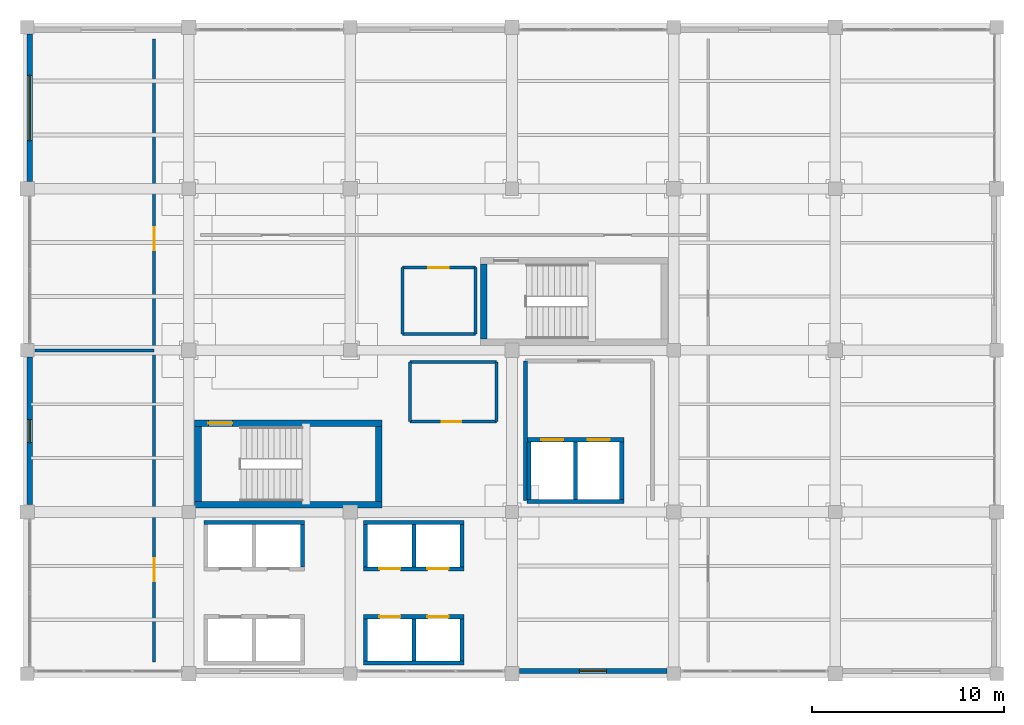
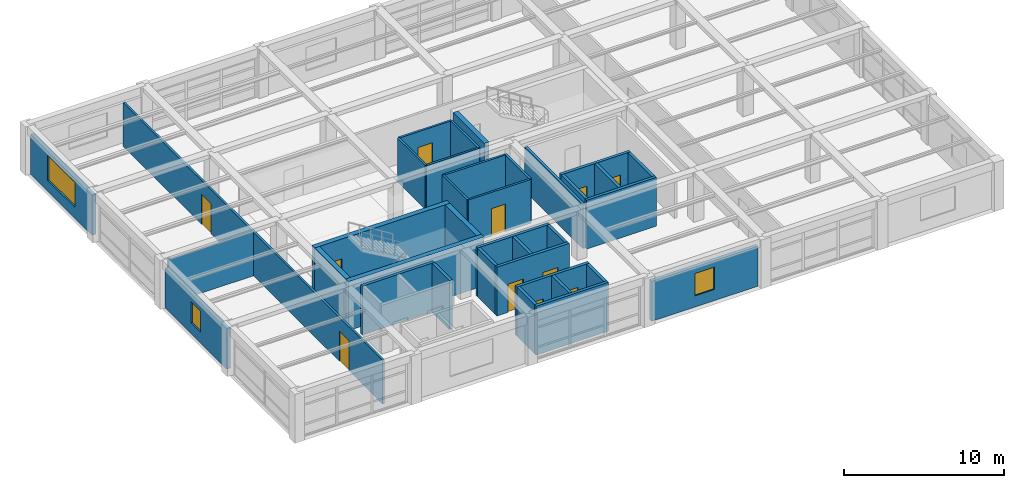
# One storey, part 24 of 26: 36 walls, 11 doors, 3 windows, 14 openings.
"""IFC4 building model written with IfcOpenShell, lengths in metres."""

from ifc_helpers import new_model, si_unit, direction, frame, frame_2d, origin, place, context, subcontext, project, spatial, rectangle, extrude, material, layer, layer_set, type_object, element, fill, save


model = new_model("IFC4")

# Units and contexts
model_context = context("Model", 3, precision=1e-05, world=origin(), true_north=direction((0.0, 1.0)))
body_context = subcontext(model_context, "Body", "Model", "MODEL_VIEW")
ifc_project = project(units=[si_unit("LENGTHUNIT", "METRE"), si_unit("AREAUNIT", "SQUARE_METRE"), si_unit("VOLUMEUNIT", "CUBIC_METRE"), si_unit("PLANEANGLEUNIT", "RADIAN"), si_unit("MASSUNIT", "GRAM", prefix="KILO")], contexts=[model_context])

# Site, building, storey
site_placement = place(None, origin())
site = spatial("IfcSite", under=ifc_project, at=site_placement, CompositionType="ELEMENT")
building_placement = place(site_placement, origin())
building = spatial("IfcBuilding", under=site, at=building_placement, Name="Almacenes y Pasaje Nevantli", CompositionType="ELEMENT")
storey_placement = place(building_placement, frame((0.0, 0.0, 38.699951171875)))
storey = spatial("IfcBuildingStorey", under=building, at=storey_placement, Name="L09", CompositionType="ELEMENT", Elevation=38.699951171875)

# Walls
ifc_material_1 = material(Name="Fire-Rated Concrete Blockwork", Category="masonry")
ifc_layer_1 = layer(ifc_material_1, 0.199951171875)
ifc_layer_set_1 = layer_set([ifc_layer_1], Name="Fire-Rated Concrete Blockwork")
wall_type_1 = type_object("IfcWallType", Name="WL-COMP-200", PredefinedType="PARTITIONING", material=ifc_layer_set_1)
wall_1_placement = place(storey_placement, frame((135.10009765625, 76.199951171875, 0.0), z_axis=(0.0, 0.0, 1.0), x_axis=(0.0, 1.0, 0.0)))
element("IfcWall", 1, at=wall_1_placement, inside=storey, type_object=wall_type_1, Name="L09 Interior Partition Wall IW-200 #160", PredefinedType="PARTITIONING", context=body_context, shape_type="SweptSolid", body=[
    extrude(rectangle(XDim=7.25, YDim=0.199951171875, at=frame_2d((3.625, 0.0))), origin(), (0.0, 0.0, 1.0), 3.340087890625),
])
ifc_material_2 = material(Name="Concrete C45/55", Category="concrete")
ifc_layer_2 = layer(ifc_material_2, 0.35009765625)
ifc_layer_set_2 = layer_set([ifc_layer_2], Name="Concrete C45/55")
wall_type_2 = type_object("IfcWallType", Name="WL-CORE-350", PredefinedType="SHEAR", material=ifc_layer_set_2)
wall_2_placement = place(storey_placement, frame((117.89990234375, 75.97509765625, 0.0), z_axis=(0.0, 0.0, 1.0), x_axis=(1.0, 0.0, 0.0)))
element("IfcWall", 2, at=wall_2_placement, inside=storey, type_object=wall_type_2, Name="L09 Exit Stair ST-01 South Core Shear Wall", PredefinedType="SHEAR", context=body_context, shape_type="SweptSolid", body=[
    extrude(rectangle(XDim=9.75, YDim=0.35009765625, at=frame_2d((4.875, 0.0))), origin(), (0.0, 0.0, 1.0), 3.719970703125),
])

# Wall, opening, door
wall_3_placement = place(storey_placement, frame((117.89990234375, 80.215087890625, 0.0), z_axis=(0.0, 0.0, 1.0), x_axis=(1.0, 0.0, 0.0)))
wall_3 = element("IfcWall", 3, at=wall_3_placement, inside=storey, type_object=wall_type_2, Name="L09 Exit Stair ST-01 North Core Shear Wall", PredefinedType="SHEAR", context=body_context, shape_type="SweptSolid", body=[
    extrude(rectangle(XDim=9.75, YDim=0.35009765625, at=frame_2d((4.875, 0.0))), origin(), (0.0, 0.0, 1.0), 3.719970703125),
])
opening_1_placement = place(wall_3_placement, frame((0.719970703125, 0.0, 0.0)))
opening_1 = element("IfcOpeningElement", 4, at=opening_1_placement, cuts=wall_3, Name="Opening SD-01-L09", PredefinedType="OPENING", context=body_context, shape_type="SweptSolid", body=[
    extrude(rectangle(XDim=1.25, YDim=2.199951171875, at=frame_2d((0.625, 1.10009765625))), frame((0.0, 0.18505859375, 0.0), z_axis=(0.0, -1.0, 0.0), x_axis=(1.0, 0.0, 0.0)), (0.0, 0.0, 1.0), 0.3701171875),
])
ifc_material_3 = material(Name="Galvanized Fire-Rated Steel", Category="steel")
door_type_1 = type_object("IfcDoorType", Name="DR-STAIR-1250", OperationType="SINGLE_SWING_LEFT", PredefinedType="DOOR", material=ifc_material_3)
door_1_placement = place(opening_1_placement, origin())
door_1 = element("IfcDoor", 5, at=door_1_placement, inside=storey, type_object=door_type_1, Name="L09 Smokeproof Exit Stair ST-01 Fire Door", OperationType="SINGLE_SWING_LEFT", OverallHeight=2.199951171875, OverallWidth=1.25, PredefinedType="DOOR", context=body_context, shape_type="SweptSolid", body=[
    extrude(rectangle(XDim=1.25, YDim=2.199951171875, at=frame_2d((0.625, 1.10009765625))), frame((0.0, 0.02490234375, 0.0), z_axis=(0.0, -1.0, 0.0), x_axis=(1.0, 0.0, 0.0)), (0.0, 0.0, 1.0), 0.050048828125),
])
fill(opening_1, door_1)

# Walls
for number, where, z_axis, x_axis, name in (
    (6, (118.074951171875, 76.14990234375, 0.0), (0.0, 0.0, 1.0), (0.0, 1.0, 0.0), "L09 Exit Stair ST-01 West Core Shear Wall"),
    (7, (127.47509765625, 76.14990234375, 0.0), (0.0, 0.0, 1.0), (0.0, 1.0, 0.0), "L09 Exit Stair ST-01 East Core Shear Wall"),
):
    element("IfcWall", number, at=place(storey_placement, frame(where, z_axis=z_axis, x_axis=x_axis)), inside=storey, type_object=wall_type_2, Name=name, PredefinedType="SHEAR", context=body_context, shape_type="SweptSolid", body=[
        extrude(rectangle(XDim=3.89013671875, YDim=0.35009765625, at=frame_2d((1.945068359375, 0.0))), origin(), (0.0, 0.0, 1.0), 3.719970703125),
    ])
wall_4_placement = place(storey_placement, frame((132.925048828125, 84.60009765625, 0.0), z_axis=(0.0, 0.0, 1.0), x_axis=(0.0, 1.0, 0.0)))
element("IfcWall", 8, at=wall_4_placement, inside=storey, type_object=wall_type_2, Name="L09 Exit Stair ST-02 West Core Shear Wall", PredefinedType="SHEAR", context=body_context, shape_type="SweptSolid", body=[
    extrude(rectangle(XDim=3.889892578125, YDim=0.35009765625, at=frame_2d((1.94482421875, 0.0))), origin(), (0.0, 0.0, 1.0), 3.719970703125),
])

# Wall, opening, window
ifc_material_4 = material(Name="Architectural Precast Concrete C35/45 Spandrel Wall", Category="concrete")
ifc_layer_3 = layer(ifc_material_4, 0.280029296875)
ifc_layer_set_3 = layer_set([ifc_layer_3], Name="Architectural Precast Concrete C35/45 Spandrel Wall")
wall_type_3 = type_object("IfcWallType", Name="WL-EXT-CANTERA-280", PredefinedType="SOLIDWALL", material=ifc_layer_set_3)
wall_5_placement = place(storey_placement, frame((109.340087890625, 75.97802734375, 0.0), z_axis=(0.0, 0.0, 1.0), x_axis=(0.0, 1.0, 0.0)))
wall_5 = element("IfcWall", 9, at=wall_5_placement, inside=storey, type_object=wall_type_3, Name="L09 Tower West Cantera Wall Bay 10", PredefinedType="SOLIDWALL", context=body_context, shape_type="SweptSolid", body=[
    extrude(rectangle(XDim=7.669921875, YDim=0.280029296875, at=frame_2d((3.8349609375, 0.0))), origin(), (0.0, 0.0, 1.0), 3.0400390625),
])
opening_2_placement = place(wall_5_placement, frame((3.221923828125, 0.0, 0.85009765625)))
opening_2 = element("IfcOpeningElement", 10, at=opening_2_placement, cuts=wall_5, Name="Opening WT-35-229", PredefinedType="OPENING", context=body_context, shape_type="SweptSolid", body=[
    extrude(rectangle(XDim=1.199951171875, YDim=1.60009765625, at=frame_2d((0.60009765625, 0.800048828125))), frame((0.0, 0.14990234375, 0.0), z_axis=(0.0, -1.0, 0.0), x_axis=(1.0, 0.0, 0.0)), (0.0, 0.0, 1.0), 0.300048828125),
])
ifc_material_5 = material(Name="Thermally Broken Aluminium and Low-E Double Glazing", Category="aluminium")
window_type_1 = type_object("IfcWindowType", Name="WN-TWR-1200x1600", PartitioningType="SINGLE_PANEL", PredefinedType="WINDOW", material=ifc_material_5)
window_1_placement = place(opening_2_placement, origin())
window_1 = element("IfcWindow", 11, at=window_1_placement, inside=storey, type_object=window_type_1, Name="L09 Exterior Window WT-35 #229", OverallHeight=1.60009765625, OverallWidth=1.199951171875, PartitioningType="SINGLE_PANEL", PredefinedType="WINDOW", context=body_context, shape_type="SweptSolid", body=[
    extrude(rectangle(XDim=1.199951171875, YDim=1.60009765625, at=frame_2d((0.60009765625, 0.800048828125))), frame((0.0, 0.030029296875, 0.0), z_axis=(0.0, -1.0, 0.0), x_axis=(1.0, 0.0, 0.0)), (0.0, 0.0, 1.0), 0.06005859375),
])
fill(opening_2, window_1)

wall_6_placement = place(storey_placement, frame((109.340087890625, 92.778076171875, 0.0), z_axis=(0.0, 0.0, 1.0), x_axis=(0.0, 1.0, 0.0)))
wall_6 = element("IfcWall", 12, at=wall_6_placement, inside=storey, type_object=wall_type_3, Name="L09 Tower West Cantera Wall Bay 12", PredefinedType="SOLIDWALL", context=body_context, shape_type="SweptSolid", body=[
    extrude(rectangle(XDim=7.66796875, YDim=0.280029296875, at=frame_2d((3.833984375, 0.0))), origin(), (0.0, 0.0, 1.0), 3.0400390625),
])
opening_3_placement = place(wall_6_placement, frame((2.1220703125, 0.0, 0.85009765625)))
opening_3 = element("IfcOpeningElement", 13, at=opening_3_placement, cuts=wall_6, Name="Opening WT-27-231", PredefinedType="OPENING", context=body_context, shape_type="SweptSolid", body=[
    extrude(rectangle(XDim=3.39990234375, YDim=1.89990234375, at=frame_2d((1.699951171875, 0.949951171875))), frame((0.0, 0.14990234375, 0.0), z_axis=(0.0, -1.0, 0.0), x_axis=(1.0, 0.0, 0.0)), (0.0, 0.0, 1.0), 0.300048828125),
])
ifc_material_6 = material(Name="Thermally Broken Aluminium and Low-E Double Glazing", Category="aluminium")
window_type_2 = type_object("IfcWindowType", Name="WN-TWR-3400x1900", PartitioningType="SINGLE_PANEL", PredefinedType="WINDOW", material=ifc_material_6)
window_2_placement = place(opening_3_placement, origin())
window_2 = element("IfcWindow", 14, at=window_2_placement, inside=storey, type_object=window_type_2, Name="L09 Exterior Window WT-27 #231", OverallHeight=1.89990234375, OverallWidth=3.39990234375, PartitioningType="SINGLE_PANEL", PredefinedType="WINDOW", context=body_context, shape_type="SweptSolid", body=[
    extrude(rectangle(XDim=3.39990234375, YDim=1.89990234375, at=frame_2d((1.699951171875, 0.949951171875))), frame((0.0, 0.030029296875, 0.0), z_axis=(0.0, -1.0, 0.0), x_axis=(1.0, 0.0, 0.0)), (0.0, 0.0, 1.0), 0.06005859375),
])
fill(opening_3, window_2)

ifc_material_7 = material(Name="Cream Architectural Precast Concrete C35/45 Wall", Category="concrete")
ifc_layer_4 = layer(ifc_material_7, 0.260009765625)
ifc_layer_set_4 = layer_set([ifc_layer_4], Name="Cream Architectural Precast Concrete C35/45 Wall")
wall_type_4 = type_object("IfcWallType", Name="WL-EXT-PRECAST-260", PredefinedType="SOLIDWALL", material=ifc_layer_set_4)
wall_7_placement = place(storey_placement, frame((134.778076171875, 67.340087890625, 0.0), z_axis=(0.0, 0.0, 1.0), x_axis=(1.0, 0.0, 0.0)))
wall_7 = element("IfcWall", 15, at=wall_7_placement, inside=storey, type_object=wall_type_4, Name="L09 Tower South Precast Spandrel Wall Bay 17", PredefinedType="SOLIDWALL", context=body_context, shape_type="SweptSolid", body=[
    extrude(rectangle(XDim=7.66796875, YDim=0.260009765625, at=frame_2d((3.833984375, 0.0))), origin(), (0.0, 0.0, 1.0), 3.0400390625),
])
opening_4_placement = place(wall_7_placement, frame((3.1220703125, 0.0, 0.85009765625)))
opening_4 = element("IfcOpeningElement", 16, at=opening_4_placement, cuts=wall_7, Name="Opening WT-34-225", PredefinedType="OPENING", context=body_context, shape_type="SweptSolid", body=[
    extrude(rectangle(XDim=1.39990234375, YDim=1.699951171875, at=frame_2d((0.699951171875, 0.85009765625))), frame((0.0, 0.139892578125, 0.0), z_axis=(0.0, -1.0, 0.0), x_axis=(1.0, 0.0, 0.0)), (0.0, 0.0, 1.0), 0.280029296875),
])
ifc_material_8 = material(Name="Thermally Broken Aluminium and Low-E Double Glazing", Category="aluminium")
window_type_3 = type_object("IfcWindowType", Name="WN-TWR-1400x1700", PartitioningType="SINGLE_PANEL", PredefinedType="WINDOW", material=ifc_material_8)
window_3_placement = place(opening_4_placement, origin())
window_3 = element("IfcWindow", 17, at=window_3_placement, inside=storey, type_object=window_type_3, Name="L09 Exterior Window WT-34 #225", OverallHeight=1.699951171875, OverallWidth=1.39990234375, PartitioningType="SINGLE_PANEL", PredefinedType="WINDOW", context=body_context, shape_type="SweptSolid", body=[
    extrude(rectangle(XDim=1.39990234375, YDim=1.699951171875, at=frame_2d((0.699951171875, 0.85009765625))), frame((0.0, 0.030029296875, 0.0), z_axis=(0.0, -1.0, 0.0), x_axis=(1.0, 0.0, 0.0)), (0.0, 0.0, 1.0), 0.06005859375),
])
fill(opening_4, window_3)

# Wall, opening, door
ifc_material_9 = material(Name="Acoustic Steel-Stud Gypsum Partition", Category="steel")
ifc_layer_5 = layer(ifc_material_9, 0.14990234375)
ifc_layer_set_5 = layer_set([ifc_layer_5], Name="Acoustic Steel-Stud Gypsum Partition")
wall_type_5 = type_object("IfcWallType", Name="WL-PART-150", PredefinedType="PARTITIONING", material=ifc_layer_set_5)
wall_8_placement = place(storey_placement, frame((129.10009765625, 80.300048828125, 0.0), z_axis=(0.0, 0.0, 1.0), x_axis=(1.0, 0.0, 0.0)))
wall_8 = element("IfcWall", 18, at=wall_8_placement, inside=storey, type_object=wall_type_5, Name="L09 Interior Partition Wall IW-150 #162", PredefinedType="PARTITIONING", context=body_context, shape_type="SweptSolid", body=[
    extrude(rectangle(XDim=4.5, YDim=0.14990234375, at=frame_2d((2.25, 0.0))), origin(), (0.0, 0.0, 1.0), 3.340087890625),
])
opening_5_placement = place(wall_8_placement, frame((1.64990234375, 0.0, 0.0)))
opening_5 = element("IfcOpeningElement", 19, at=opening_5_placement, cuts=wall_8, Name="Opening ID-L09-089", PredefinedType="OPENING", context=body_context, shape_type="SweptSolid", body=[
    extrude(rectangle(XDim=1.0, YDim=2.10009765625, at=frame_2d((0.5, 1.050048828125))), frame((0.0, 0.0849609375, 0.0), z_axis=(0.0, -1.0, 0.0), x_axis=(1.0, 0.0, 0.0)), (0.0, 0.0, 1.0), 0.169921875),
])
ifc_material_10 = material(Name="Powder-Coated Hollow Metal", Category="steel")
door_type_2 = type_object("IfcDoorType", Name="DR-INT-1000", OperationType="SINGLE_SWING_LEFT", PredefinedType="DOOR", material=ifc_material_10)
door_2_placement = place(opening_5_placement, origin())
door_2 = element("IfcDoor", 20, at=door_2_placement, inside=storey, type_object=door_type_2, Name="L09 Staff and Public WC Door", OperationType="SINGLE_SWING_LEFT", OverallHeight=2.10009765625, OverallWidth=1.0, PredefinedType="DOOR", context=body_context, shape_type="SweptSolid", body=[
    extrude(rectangle(XDim=1.0, YDim=2.10009765625, at=frame_2d((0.5, 1.050048828125))), frame((0.0, 0.02490234375, 0.0), z_axis=(0.0, -1.0, 0.0), x_axis=(1.0, 0.0, 0.0)), (0.0, 0.0, 1.0), 0.050048828125),
])
fill(opening_5, door_2)

# Walls
wall_9_placement = place(storey_placement, frame((129.10009765625, 83.39990234375, 0.0), z_axis=(0.0, 0.0, 1.0), x_axis=(1.0, 0.0, 0.0)))
element("IfcWall", 21, at=wall_9_placement, inside=storey, type_object=wall_type_5, Name="L09 Interior Partition Wall IW-150 #163", PredefinedType="PARTITIONING", context=body_context, shape_type="SweptSolid", body=[
    extrude(rectangle(XDim=4.5, YDim=0.14990234375, at=frame_2d((2.25, 0.0))), origin(), (0.0, 0.0, 1.0), 3.340087890625),
])
for number, where, z_axis, x_axis, name in (
    (22, (129.10009765625, 80.300048828125, 0.0), (0.0, 0.0, 1.0), (0.0, 1.0, 0.0), "L09 Interior Partition Wall IW-150 #164"),
    (23, (133.60009765625, 80.300048828125, 0.0), (0.0, 0.0, 1.0), (0.0, 1.0, 0.0), "L09 Interior Partition Wall IW-150 #165"),
):
    element("IfcWall", number, at=place(storey_placement, frame(where, z_axis=z_axis, x_axis=x_axis)), inside=storey, type_object=wall_type_5, Name=name, PredefinedType="PARTITIONING", context=body_context, shape_type="SweptSolid", body=[
        extrude(rectangle(XDim=3.099853515625, YDim=0.14990234375, at=frame_2d((1.5498046875, 0.0))), origin(), (0.0, 0.0, 1.0), 3.340087890625),
    ])

# Wall, opening, door
wall_10_placement = place(storey_placement, frame((128.699951171875, 88.300048828125, 0.0), z_axis=(0.0, 0.0, 1.0), x_axis=(1.0, 0.0, 0.0)))
wall_10 = element("IfcWall", 24, at=wall_10_placement, inside=storey, type_object=wall_type_5, Name="L09 Interior Partition Wall IW-150 #166", PredefinedType="PARTITIONING", context=body_context, shape_type="SweptSolid", body=[
    extrude(rectangle(XDim=3.800048828125, YDim=0.14990234375, at=frame_2d((1.89990234375, 0.0))), origin(), (0.0, 0.0, 1.0), 3.340087890625),
])
opening_6_placement = place(wall_10_placement, frame((1.35009765625, 0.0, 0.0)))
opening_6 = element("IfcOpeningElement", 25, at=opening_6_placement, cuts=wall_10, Name="Opening ID-L09-090", PredefinedType="OPENING", context=body_context, shape_type="SweptSolid", body=[
    extrude(rectangle(XDim=1.050048828125, YDim=2.14990234375, at=frame_2d((0.52490234375, 1.074951171875))), frame((0.0, 0.0849609375, 0.0), z_axis=(0.0, -1.0, 0.0), x_axis=(1.0, 0.0, 0.0)), (0.0, 0.0, 1.0), 0.169921875),
])
ifc_material_11 = material(Name="Powder-Coated Hollow Metal", Category="steel")
door_type_3 = type_object("IfcDoorType", Name="DR-ACC-1050", OperationType="SINGLE_SWING_RIGHT", PredefinedType="DOOR", material=ifc_material_11)
door_3_placement = place(opening_6_placement, origin())
door_3 = element("IfcDoor", 26, at=door_3_placement, inside=storey, type_object=door_type_3, Name="L09 Accessible WC Door", OperationType="SINGLE_SWING_RIGHT", OverallHeight=2.14990234375, OverallWidth=1.050048828125, PredefinedType="DOOR", context=body_context, shape_type="SweptSolid", body=[
    extrude(rectangle(XDim=1.050048828125, YDim=2.14990234375, at=frame_2d((0.52490234375, 1.074951171875))), frame((0.0, 0.02490234375, 0.0), z_axis=(0.0, -1.0, 0.0), x_axis=(1.0, 0.0, 0.0)), (0.0, 0.0, 1.0), 0.050048828125),
])
fill(opening_6, door_3)

# Walls
wall_11_placement = place(storey_placement, frame((128.699951171875, 84.85009765625, 0.0), z_axis=(0.0, 0.0, 1.0), x_axis=(1.0, 0.0, 0.0)))
element("IfcWall", 27, at=wall_11_placement, inside=storey, type_object=wall_type_5, Name="L09 Interior Partition Wall IW-150 #167", PredefinedType="PARTITIONING", context=body_context, shape_type="SweptSolid", body=[
    extrude(rectangle(XDim=3.800048828125, YDim=0.14990234375, at=frame_2d((1.89990234375, 0.0))), origin(), (0.0, 0.0, 1.0), 3.340087890625),
])
for number, where, z_axis, x_axis, name in (
    (28, (128.699951171875, 84.85009765625, 0.0), (0.0, 0.0, 1.0), (0.0, 1.0, 0.0), "L09 Interior Partition Wall IW-150 #168"),
    (29, (132.5, 84.85009765625, 0.0), (0.0, 0.0, 1.0), (0.0, 1.0, 0.0), "L09 Interior Partition Wall IW-150 #169"),
):
    element("IfcWall", number, at=place(storey_placement, frame(where, z_axis=z_axis, x_axis=x_axis)), inside=storey, type_object=wall_type_5, Name=name, PredefinedType="PARTITIONING", context=body_context, shape_type="SweptSolid", body=[
        extrude(rectangle(XDim=3.449951171875, YDim=0.14990234375, at=frame_2d((1.72509765625, 0.0))), origin(), (0.0, 0.0, 1.0), 3.340087890625),
    ])

# Wall, openings, doors
wall_12_placement = place(storey_placement, frame((115.800048828125, 67.800048828125, 0.0), z_axis=(0.0, 0.0, 1.0), x_axis=(0.0, 1.0, 0.0)))
wall_12 = element("IfcWall", 30, at=wall_12_placement, inside=storey, type_object=wall_type_5, Name="L09 Interior Partition Wall IW-150 #170", PredefinedType="PARTITIONING", context=body_context, shape_type="SweptSolid", body=[
    extrude(rectangle(XDim=32.39990234375, YDim=0.14990234375, at=frame_2d((16.199951171875, 0.0))), origin(), (0.0, 0.0, 1.0), 3.340087890625),
])
opening_7_placement = place(wall_12_placement, frame((4.199951171875, 0.0, 0.0)))
opening_7 = element("IfcOpeningElement", 31, at=opening_7_placement, cuts=wall_12, Name="Opening ID-L09-091", PredefinedType="OPENING", context=body_context, shape_type="SweptSolid", body=[
    extrude(rectangle(XDim=1.199951171875, YDim=2.300048828125, at=frame_2d((0.60009765625, 1.14990234375))), frame((0.0, 0.0849609375, 0.0), z_axis=(0.0, -1.0, 0.0), x_axis=(1.0, 0.0, 0.0)), (0.0, 0.0, 1.0), 0.169921875),
])
opening_8_placement = place(wall_12_placement, frame((21.39990234375, 0.0, 0.0)))
opening_8 = element("IfcOpeningElement", 32, at=opening_8_placement, cuts=wall_12, Name="Opening ID-L09-092", PredefinedType="OPENING", context=body_context, shape_type="SweptSolid", body=[
    extrude(rectangle(XDim=1.199951171875, YDim=2.300048828125, at=frame_2d((0.60009765625, 1.14990234375))), frame((0.0, 0.0849609375, 0.0), z_axis=(0.0, -1.0, 0.0), x_axis=(1.0, 0.0, 0.0)), (0.0, 0.0, 1.0), 0.169921875),
])
ifc_material_12 = material(Name="Anodized Aluminium and Tempered Acoustic Glass", Category="aluminium")
door_type_4 = type_object("IfcDoorType", Name="DR-ACU-1200", OperationType="SINGLE_SWING_LEFT", PredefinedType="DOOR", material=ifc_material_12)
door_4_placement = place(opening_7_placement, origin())
door_4 = element("IfcDoor", 33, at=door_4_placement, inside=storey, type_object=door_type_4, Name="L09 L09 Conference Lerma Door", OperationType="SINGLE_SWING_LEFT", OverallHeight=2.300048828125, OverallWidth=1.199951171875, PredefinedType="DOOR", context=body_context, shape_type="SweptSolid", body=[
    extrude(rectangle(XDim=1.199951171875, YDim=2.300048828125, at=frame_2d((0.60009765625, 1.14990234375))), frame((0.0, 0.02490234375, 0.0), z_axis=(0.0, -1.0, 0.0), x_axis=(1.0, 0.0, 0.0)), (0.0, 0.0, 1.0), 0.050048828125),
])
fill(opening_7, door_4)
ifc_material_13 = material(Name="Anodized Aluminium and Tempered Acoustic Glass", Category="aluminium")
door_type_5 = type_object("IfcDoorType", Name="DR-ACU-1200R", OperationType="SINGLE_SWING_RIGHT", PredefinedType="DOOR", material=ifc_material_13)
door_5_placement = place(opening_8_placement, origin())
door_5 = element("IfcDoor", 34, at=door_5_placement, inside=storey, type_object=door_type_5, Name="L09 L09 Boardroom Nevado Door", OperationType="SINGLE_SWING_RIGHT", OverallHeight=2.300048828125, OverallWidth=1.199951171875, PredefinedType="DOOR", context=body_context, shape_type="SweptSolid", body=[
    extrude(rectangle(XDim=1.199951171875, YDim=2.300048828125, at=frame_2d((0.60009765625, 1.14990234375))), frame((0.0, 0.02490234375, 0.0), z_axis=(0.0, -1.0, 0.0), x_axis=(1.0, 0.0, 0.0)), (0.0, 0.0, 1.0), 0.050048828125),
])
fill(opening_8, door_5)

# Walls
wall_13_placement = place(storey_placement, frame((109.60009765625, 84.0, 0.0), z_axis=(0.0, 0.0, 1.0), x_axis=(1.0, 0.0, 0.0)))
element("IfcWall", 35, at=wall_13_placement, inside=storey, type_object=wall_type_5, Name="L09 Interior Partition Wall IW-150 #171", PredefinedType="PARTITIONING", context=body_context, shape_type="SweptSolid", body=[
    extrude(rectangle(XDim=6.199951171875, YDim=0.14990234375, at=frame_2d((3.10009765625, 0.0))), origin(), (0.0, 0.0, 1.0), 3.340087890625),
])
ifc_material_14 = material(Name="Concrete C45/55", Category="concrete")
ifc_layer_6 = layer(ifc_material_14, 0.2099609375)
ifc_layer_set_6 = layer_set([ifc_layer_6], Name="Concrete C45/55")
wall_type_6 = type_object("IfcWallType", Name="WL-SHAFT-210", PredefinedType="SHEAR", material=ifc_layer_set_6)
wall_14_placement = place(storey_placement, frame((126.68994140625, 67.7451171875, 0.0), z_axis=(0.0, 0.0, 1.0), x_axis=(1.0, 0.0, 0.0)))
element("IfcWall", 36, at=wall_14_placement, inside=storey, type_object=wall_type_6, Name="L09 Lift Hoistway ELV-P01-ELV-P02 South Wall", PredefinedType="SHEAR", context=body_context, shape_type="SweptSolid", body=[
    extrude(rectangle(XDim=5.219970703125, YDim=0.2099609375, at=frame_2d((2.60986328125, 0.0))), origin(), (0.0, 0.0, 1.0), 3.719970703125),
])

# Wall, openings, doors
wall_15_placement = place(storey_placement, frame((126.68994140625, 70.155029296875, 0.0), z_axis=(0.0, 0.0, 1.0), x_axis=(1.0, 0.0, 0.0)))
wall_15 = element("IfcWall", 37, at=wall_15_placement, inside=storey, type_object=wall_type_6, Name="L09 Lift Hoistway ELV-P01-ELV-P02 North Wall", PredefinedType="SHEAR", context=body_context, shape_type="SweptSolid", body=[
    extrude(rectangle(XDim=5.219970703125, YDim=0.2099609375, at=frame_2d((2.60986328125, 0.0))), origin(), (0.0, 0.0, 1.0), 3.719970703125),
])
opening_9_placement = place(wall_15_placement, frame((0.81005859375, 0.0, 0.0)))
opening_9 = element("IfcOpeningElement", 38, at=opening_9_placement, cuts=wall_15, Name="Opening LD-P01-L09", PredefinedType="OPENING", context=body_context, shape_type="SweptSolid", body=[
    extrude(rectangle(XDim=1.10009765625, YDim=2.14990234375, at=frame_2d((0.550048828125, 1.074951171875))), frame((0.0, 0.114990234375, 0.0), z_axis=(0.0, -1.0, 0.0), x_axis=(1.0, 0.0, 0.0)), (0.0, 0.0, 1.0), 0.22998046875),
])
opening_10_placement = place(wall_15_placement, frame((3.31005859375, 0.0, 0.0)))
opening_10 = element("IfcOpeningElement", 39, at=opening_10_placement, cuts=wall_15, Name="Opening LD-P02-L09", PredefinedType="OPENING", context=body_context, shape_type="SweptSolid", body=[
    extrude(rectangle(XDim=1.10009765625, YDim=2.14990234375, at=frame_2d((0.550048828125, 1.074951171875))), frame((0.0, 0.114990234375, 0.0), z_axis=(0.0, -1.0, 0.0), x_axis=(1.0, 0.0, 0.0)), (0.0, 0.0, 1.0), 0.22998046875),
])
ifc_material_15 = material(Name="Brushed Stainless Steel", Category="steel")
door_type_6 = type_object("IfcDoorType", Name="DR-LD-PASS-1100", OperationType="DOUBLE_DOOR_SLIDING", PredefinedType="DOOR", material=ifc_material_15)
door_6_placement = place(opening_9_placement, origin())
door_6 = element("IfcDoor", 40, at=door_6_placement, inside=storey, type_object=door_type_6, Name="Lift Landing Door ELV-P01 L09", OperationType="DOUBLE_DOOR_SLIDING", OverallHeight=2.14990234375, OverallWidth=1.10009765625, PredefinedType="DOOR", context=body_context, shape_type="SweptSolid", body=[
    extrude(rectangle(XDim=1.10009765625, YDim=2.14990234375, at=frame_2d((0.550048828125, 1.074951171875))), frame((0.0, 0.02490234375, 0.0), z_axis=(0.0, -1.0, 0.0), x_axis=(1.0, 0.0, 0.0)), (0.0, 0.0, 1.0), 0.050048828125),
])
fill(opening_9, door_6)
door_7_placement = place(opening_10_placement, origin())
door_7 = element("IfcDoor", 41, at=door_7_placement, inside=storey, type_object=door_type_6, Name="Lift Landing Door ELV-P02 L09", OperationType="DOUBLE_DOOR_SLIDING", OverallHeight=2.14990234375, OverallWidth=1.10009765625, PredefinedType="DOOR", context=body_context, shape_type="SweptSolid", body=[
    extrude(rectangle(XDim=1.10009765625, YDim=2.14990234375, at=frame_2d((0.550048828125, 1.074951171875))), frame((0.0, 0.02490234375, 0.0), z_axis=(0.0, -1.0, 0.0), x_axis=(1.0, 0.0, 0.0)), (0.0, 0.0, 1.0), 0.050048828125),
])
fill(opening_10, door_7)

# Walls
for number, where, z_axis, x_axis, name in (
    (42, (126.794921875, 67.85009765625, 0.0), (0.0, 0.0, 1.0), (0.0, 1.0, 0.0), "L09 Lift Hoistway ELV-P01 West Wall"),
    (43, (131.804931640625, 67.85009765625, 0.0), (0.0, 0.0, 1.0), (0.0, 1.0, 0.0), "L09 Lift Hoistway ELV-P02 East Wall"),
    (44, (129.300048828125, 67.85009765625, 0.0), (0.0, 0.0, 1.0), (0.0, 1.0, 0.0), "L09 Lift Hoistway Divider Wall ELV-P01/ELV-P02"),
):
    element("IfcWall", number, at=place(storey_placement, frame(where, z_axis=z_axis, x_axis=x_axis)), inside=storey, type_object=wall_type_6, Name=name, PredefinedType="SHEAR", context=body_context, shape_type="SweptSolid", body=[
        extrude(rectangle(XDim=2.199951171875, YDim=0.2099609375, at=frame_2d((1.10009765625, 0.0))), origin(), (0.0, 0.0, 1.0), 3.719970703125),
    ])

# Wall, openings, doors
wall_16_placement = place(storey_placement, frame((126.68994140625, 72.64501953125, 0.0), z_axis=(0.0, 0.0, 1.0), x_axis=(1.0, 0.0, 0.0)))
wall_16 = element("IfcWall", 45, at=wall_16_placement, inside=storey, type_object=wall_type_6, Name="L09 Lift Hoistway ELV-P03-ELV-P04 South Wall", PredefinedType="SHEAR", context=body_context, shape_type="SweptSolid", body=[
    extrude(rectangle(XDim=5.219970703125, YDim=0.2099609375, at=frame_2d((2.60986328125, 0.0))), origin(), (0.0, 0.0, 1.0), 3.719970703125),
])
opening_11_placement = place(wall_16_placement, frame((0.81005859375, 0.0, 0.0)))
opening_11 = element("IfcOpeningElement", 46, at=opening_11_placement, cuts=wall_16, Name="Opening LD-P03-L09", PredefinedType="OPENING", context=body_context, shape_type="SweptSolid", body=[
    extrude(rectangle(XDim=1.10009765625, YDim=2.14990234375, at=frame_2d((0.550048828125, 1.074951171875))), frame((0.0, 0.114990234375, 0.0), z_axis=(0.0, -1.0, 0.0), x_axis=(1.0, 0.0, 0.0)), (0.0, 0.0, 1.0), 0.22998046875),
])
opening_12_placement = place(wall_16_placement, frame((3.31005859375, 0.0, 0.0)))
opening_12 = element("IfcOpeningElement", 47, at=opening_12_placement, cuts=wall_16, Name="Opening LD-P04-L09", PredefinedType="OPENING", context=body_context, shape_type="SweptSolid", body=[
    extrude(rectangle(XDim=1.10009765625, YDim=2.14990234375, at=frame_2d((0.550048828125, 1.074951171875))), frame((0.0, 0.114990234375, 0.0), z_axis=(0.0, -1.0, 0.0), x_axis=(1.0, 0.0, 0.0)), (0.0, 0.0, 1.0), 0.22998046875),
])
door_8_placement = place(opening_11_placement, origin())
door_8 = element("IfcDoor", 48, at=door_8_placement, inside=storey, type_object=door_type_6, Name="Lift Landing Door ELV-P03 L09", OperationType="DOUBLE_DOOR_SLIDING", OverallHeight=2.14990234375, OverallWidth=1.10009765625, PredefinedType="DOOR", context=body_context, shape_type="SweptSolid", body=[
    extrude(rectangle(XDim=1.10009765625, YDim=2.14990234375, at=frame_2d((0.550048828125, 1.074951171875))), frame((0.0, 0.02490234375, 0.0), z_axis=(0.0, -1.0, 0.0), x_axis=(1.0, 0.0, 0.0)), (0.0, 0.0, 1.0), 0.050048828125),
])
fill(opening_11, door_8)
door_9_placement = place(opening_12_placement, origin())
door_9 = element("IfcDoor", 49, at=door_9_placement, inside=storey, type_object=door_type_6, Name="Lift Landing Door ELV-P04 L09", OperationType="DOUBLE_DOOR_SLIDING", OverallHeight=2.14990234375, OverallWidth=1.10009765625, PredefinedType="DOOR", context=body_context, shape_type="SweptSolid", body=[
    extrude(rectangle(XDim=1.10009765625, YDim=2.14990234375, at=frame_2d((0.550048828125, 1.074951171875))), frame((0.0, 0.02490234375, 0.0), z_axis=(0.0, -1.0, 0.0), x_axis=(1.0, 0.0, 0.0)), (0.0, 0.0, 1.0), 0.050048828125),
])
fill(opening_12, door_9)

# Walls
wall_17_placement = place(storey_placement, frame((126.68994140625, 75.054931640625, 0.0), z_axis=(0.0, 0.0, 1.0), x_axis=(1.0, 0.0, 0.0)))
element("IfcWall", 50, at=wall_17_placement, inside=storey, type_object=wall_type_6, Name="L09 Lift Hoistway ELV-P03-ELV-P04 North Wall", PredefinedType="SHEAR", context=body_context, shape_type="SweptSolid", body=[
    extrude(rectangle(XDim=5.219970703125, YDim=0.2099609375, at=frame_2d((2.60986328125, 0.0))), origin(), (0.0, 0.0, 1.0), 3.719970703125),
])
for number, where, z_axis, x_axis, name in (
    (51, (126.794921875, 72.75, 0.0), (0.0, 0.0, 1.0), (0.0, 1.0, 0.0), "L09 Lift Hoistway ELV-P03 West Wall"),
    (52, (131.804931640625, 72.75, 0.0), (0.0, 0.0, 1.0), (0.0, 1.0, 0.0), "L09 Lift Hoistway ELV-P04 East Wall"),
    (53, (129.300048828125, 72.75, 0.0), (0.0, 0.0, 1.0), (0.0, 1.0, 0.0), "L09 Lift Hoistway Divider Wall ELV-P03/ELV-P04"),
):
    element("IfcWall", number, at=place(storey_placement, frame(where, z_axis=z_axis, x_axis=x_axis)), inside=storey, type_object=wall_type_6, Name=name, PredefinedType="SHEAR", context=body_context, shape_type="SweptSolid", body=[
        extrude(rectangle(XDim=2.199951171875, YDim=0.2099609375, at=frame_2d((1.10009765625, 0.0))), origin(), (0.0, 0.0, 1.0), 3.719970703125),
    ])
wall_18_placement = place(storey_placement, frame((118.389892578125, 75.054931640625, 0.0), z_axis=(0.0, 0.0, 1.0), x_axis=(1.0, 0.0, 0.0)))
element("IfcWall", 54, at=wall_18_placement, inside=storey, type_object=wall_type_6, Name="L09 Lift Hoistway ELV-P07-ELV-P08 North Wall", PredefinedType="SHEAR", context=body_context, shape_type="SweptSolid", body=[
    extrude(rectangle(XDim=5.22021484375, YDim=0.2099609375, at=frame_2d((2.610107421875, 0.0))), origin(), (0.0, 0.0, 1.0), 3.719970703125),
])
wall_19_placement = place(storey_placement, frame((123.5048828125, 72.75, 0.0), z_axis=(0.0, 0.0, 1.0), x_axis=(0.0, 1.0, 0.0)))
element("IfcWall", 55, at=wall_19_placement, inside=storey, type_object=wall_type_6, Name="L09 Lift Hoistway ELV-P08 East Wall", PredefinedType="SHEAR", context=body_context, shape_type="SweptSolid", body=[
    extrude(rectangle(XDim=2.199951171875, YDim=0.2099609375, at=frame_2d((1.10009765625, 0.0))), origin(), (0.0, 0.0, 1.0), 3.719970703125),
])
wall_20_placement = place(storey_placement, frame((135.18994140625, 76.14501953125, 0.0), z_axis=(0.0, 0.0, 1.0), x_axis=(1.0, 0.0, 0.0)))
element("IfcWall", 56, at=wall_20_placement, inside=storey, type_object=wall_type_6, Name="L09 Lift Hoistway ELV-FF1-ELV-FF2 South Wall", PredefinedType="SHEAR", context=body_context, shape_type="SweptSolid", body=[
    extrude(rectangle(XDim=5.02001953125, YDim=0.2099609375, at=frame_2d((2.510009765625, 0.0))), origin(), (0.0, 0.0, 1.0), 3.719970703125),
])

# Wall, openings, doors
wall_21_placement = place(storey_placement, frame((135.18994140625, 79.35498046875, 0.0), z_axis=(0.0, 0.0, 1.0), x_axis=(1.0, 0.0, 0.0)))
wall_21 = element("IfcWall", 57, at=wall_21_placement, inside=storey, type_object=wall_type_6, Name="L09 Lift Hoistway ELV-FF1-ELV-FF2 North Wall", PredefinedType="SHEAR", context=body_context, shape_type="SweptSolid", body=[
    extrude(rectangle(XDim=5.02001953125, YDim=0.2099609375, at=frame_2d((2.510009765625, 0.0))), origin(), (0.0, 0.0, 1.0), 3.719970703125),
])
opening_13_placement = place(wall_21_placement, frame((0.735107421875, 0.0, 0.0)))
opening_13 = element("IfcOpeningElement", 58, at=opening_13_placement, cuts=wall_21, Name="Opening LD-FF1-L09", PredefinedType="OPENING", context=body_context, shape_type="SweptSolid", body=[
    extrude(rectangle(XDim=1.14990234375, YDim=2.199951171875, at=frame_2d((0.574951171875, 1.10009765625))), frame((0.0, 0.114990234375, 0.0), z_axis=(0.0, -1.0, 0.0), x_axis=(1.0, 0.0, 0.0)), (0.0, 0.0, 1.0), 0.22998046875),
])
opening_14_placement = place(wall_21_placement, frame((3.135009765625, 0.0, 0.0)))
opening_14 = element("IfcOpeningElement", 59, at=opening_14_placement, cuts=wall_21, Name="Opening LD-FF2-L09", PredefinedType="OPENING", context=body_context, shape_type="SweptSolid", body=[
    extrude(rectangle(XDim=1.14990234375, YDim=2.199951171875, at=frame_2d((0.574951171875, 1.10009765625))), frame((0.0, 0.114990234375, 0.0), z_axis=(0.0, -1.0, 0.0), x_axis=(1.0, 0.0, 0.0)), (0.0, 0.0, 1.0), 0.22998046875),
])
ifc_material_16 = material(Name="Fire-Rated Stainless Steel", Category="steel")
door_type_7 = type_object("IfcDoorType", Name="DR-LD-FF-1150", OperationType="DOUBLE_DOOR_SLIDING", PredefinedType="DOOR", material=ifc_material_16)
door_10_placement = place(opening_13_placement, origin())
door_10 = element("IfcDoor", 60, at=door_10_placement, inside=storey, type_object=door_type_7, Name="Lift Landing Door ELV-FF1 L09", OperationType="DOUBLE_DOOR_SLIDING", OverallHeight=2.199951171875, OverallWidth=1.14990234375, PredefinedType="DOOR", context=body_context, shape_type="SweptSolid", body=[
    extrude(rectangle(XDim=1.14990234375, YDim=2.199951171875, at=frame_2d((0.574951171875, 1.10009765625))), frame((0.0, 0.02490234375, 0.0), z_axis=(0.0, -1.0, 0.0), x_axis=(1.0, 0.0, 0.0)), (0.0, 0.0, 1.0), 0.050048828125),
])
fill(opening_13, door_10)
door_11_placement = place(opening_14_placement, origin())
door_11 = element("IfcDoor", 61, at=door_11_placement, inside=storey, type_object=door_type_7, Name="Lift Landing Door ELV-FF2 L09", OperationType="DOUBLE_DOOR_SLIDING", OverallHeight=2.199951171875, OverallWidth=1.14990234375, PredefinedType="DOOR", context=body_context, shape_type="SweptSolid", body=[
    extrude(rectangle(XDim=1.14990234375, YDim=2.199951171875, at=frame_2d((0.574951171875, 1.10009765625))), frame((0.0, 0.02490234375, 0.0), z_axis=(0.0, -1.0, 0.0), x_axis=(1.0, 0.0, 0.0)), (0.0, 0.0, 1.0), 0.050048828125),
])
fill(opening_14, door_11)

# Walls
for number, where, z_axis, x_axis, name in (
    (62, (135.294921875, 76.25, 0.0), (0.0, 0.0, 1.0), (0.0, 1.0, 0.0), "L09 Lift Hoistway ELV-FF1 West Wall"),
    (63, (140.10498046875, 76.25, 0.0), (0.0, 0.0, 1.0), (0.0, 1.0, 0.0), "L09 Lift Hoistway ELV-FF2 East Wall"),
    (64, (137.699951171875, 76.25, 0.0), (0.0, 0.0, 1.0), (0.0, 1.0, 0.0), "L09 Lift Hoistway Divider Wall ELV-FF1/ELV-FF2"),
):
    element("IfcWall", number, at=place(storey_placement, frame(where, z_axis=z_axis, x_axis=x_axis)), inside=storey, type_object=wall_type_6, Name=name, PredefinedType="SHEAR", context=body_context, shape_type="SweptSolid", body=[
        extrude(rectangle(XDim=3.0, YDim=0.2099609375, at=frame_2d((1.5, 0.0))), origin(), (0.0, 0.0, 1.0), 3.719970703125),
    ])

save(model, "model.ifc")
